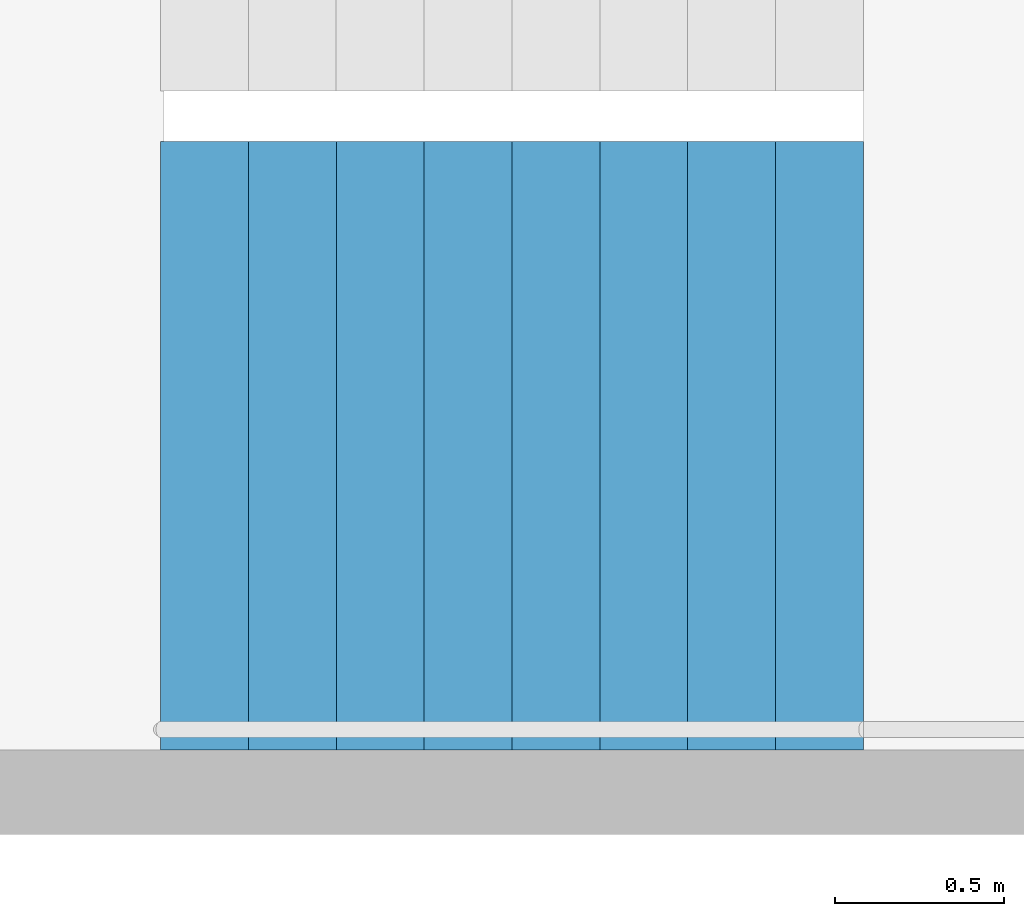
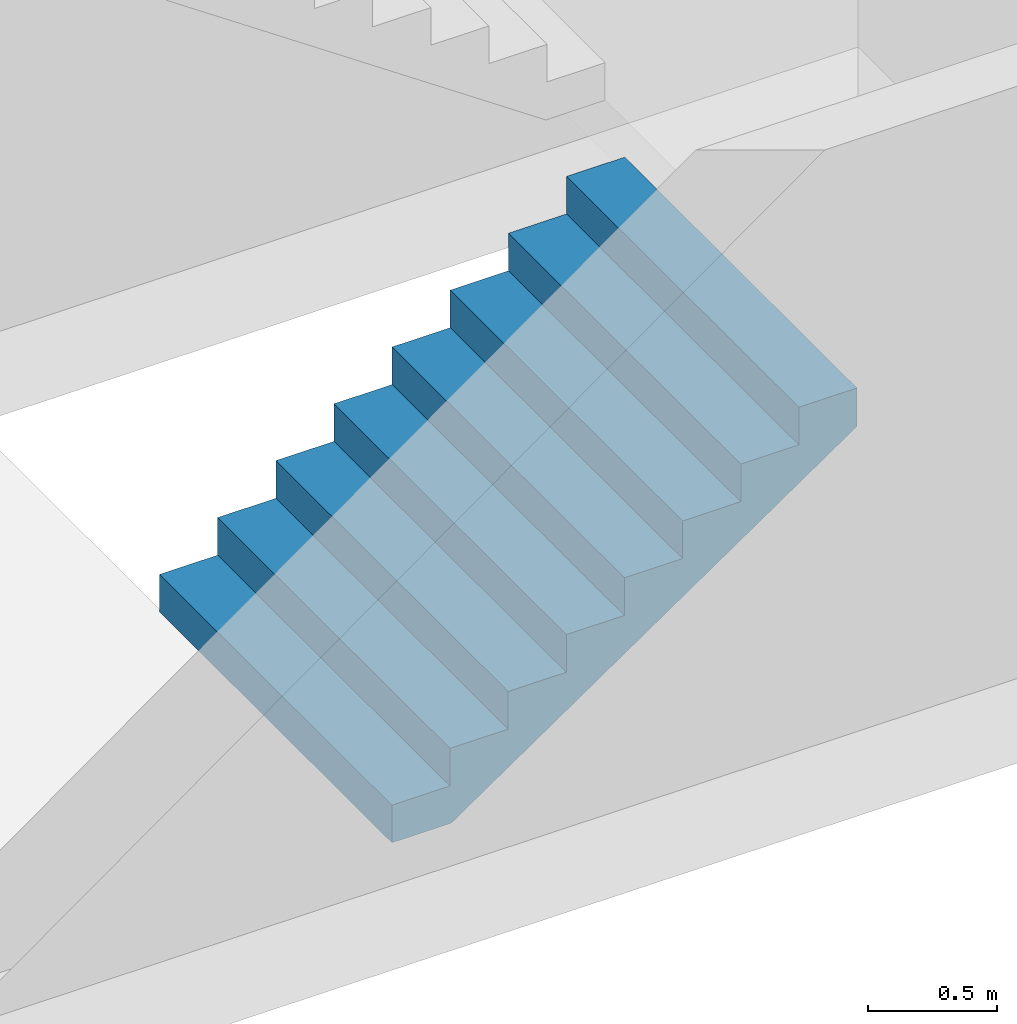
# One storey, part 35 of 42: 1 stair flight, 1 element without a shape of its own.
"""IFC4 building model written with IfcOpenShell, lengths in metres."""

from ifc_helpers import new_model, si_unit, direction, frame, origin, place, context, subcontext, project, spatial, triangles, material, type_object, element, aggregate, save


model = new_model("IFC4")

# Units and contexts
model_context = context("Model", 3, precision=1e-05, world=origin(), true_north=direction((0.0, 1.0)))
body_context = subcontext(model_context, "Body", "Model", "MODEL_VIEW")
ifc_project = project(units=[si_unit("LENGTHUNIT", "METRE"), si_unit("AREAUNIT", "SQUARE_METRE"), si_unit("VOLUMEUNIT", "CUBIC_METRE"), si_unit("PLANEANGLEUNIT", "RADIAN"), si_unit("MASSUNIT", "GRAM", prefix="KILO")], contexts=[model_context])

# Site, building, storey
site_placement = place(None, origin())
site = spatial("IfcSite", under=ifc_project, at=site_placement, CompositionType="ELEMENT")
building_placement = place(site_placement, origin())
building = spatial("IfcBuilding", under=site, at=building_placement, Name="Hakoniwa Tower and Hamabe Station Hall", CompositionType="ELEMENT")
storey_placement = place(building_placement, frame((0.0, 0.0, 19.800048828125)))
storey = spatial("IfcBuildingStorey", under=building, at=storey_placement, Name="L04", CompositionType="ELEMENT", Elevation=19.800048828125)

# Stair, stair flight
ifc_material_1 = material(Name="Concrete C40", Category="concrete")
stair_type = type_object("IfcStairType", Name="ESCAPE STAIR 1800", PredefinedType="HALF_TURN_STAIR", material=ifc_material_1)
stair_placement = place(storey_placement, origin())
stair = element("IfcStair", 1, at=stair_placement, inside=storey, type_object=stair_type, Name="Escape stair ST-1 L04", PredefinedType="HALF_TURN_STAIR")
ifc_material_2 = material(Name="Concrete C40", Category="concrete")
stair_flight_type = type_object("IfcStairFlightType", Name="STAIR FLIGHT 1800", PredefinedType="STRAIGHT", material=ifc_material_2)
stair_flight_placement = place(storey_placement, frame((-24.39990234375, 4.64990234375, 0.0), z_axis=(0.0, 0.0, 1.0), x_axis=(1.0, 0.0, 0.0)))
stair_flight = element("IfcStairFlight", 2, at=stair_flight_placement, type_object=stair_flight_type, Name="ST-1 flight 1", NumberOfRisers=9, NumberOfTreads=8, PredefinedType="STRAIGHT", RiserHeight=0.177777778, TreadLength=0.26, context=body_context, shape_type="Tessellation", body=[
    triangles([(0.0, 0.89990234375, 0.0), (0.260009765625, 0.89990234375, 0.0), (0.265625, 0.89990234375, 0.0), (0.52001953125, 0.89990234375, 0.174072265625), (0.780029296875, 0.89990234375, 0.351806640625), (1.0400390625, 0.89990234375, 0.529541015625), (1.300048828125, 0.89990234375, 0.707275390625), (1.56005859375, 0.89990234375, 0.885009765625), (1.820068359375, 0.89990234375, 1.062744140625), (2.080078125, 0.89990234375, 1.24072265625), (2.080078125, 0.89990234375, 1.422119140625), (1.820068359375, 0.89990234375, 1.422119140625), (1.820068359375, 0.89990234375, 1.244384765625), (1.56005859375, 0.89990234375, 1.244384765625), (1.56005859375, 0.89990234375, 1.066650390625), (1.300048828125, 0.89990234375, 1.066650390625), (1.300048828125, 0.89990234375, 0.888916015625), (1.0400390625, 0.89990234375, 0.888916015625), (1.0400390625, 0.89990234375, 0.711181640625), (0.780029296875, 0.89990234375, 0.711181640625), (0.780029296875, 0.89990234375, 0.533447265625), (0.52001953125, 0.89990234375, 0.533447265625), (0.52001953125, 0.89990234375, 0.35546875), (0.265625, 0.89990234375, 0.35546875), (0.260009765625, 0.89990234375, 0.35546875), (0.260009765625, 0.89990234375, 0.177734375), (0.0, 0.89990234375, 0.177734375), (0.0, 0.06005859375, 0.0), (0.260009765625, 0.06005859375, 0.0), (0.265625, 0.06005859375, 0.0), (0.52001953125, 0.06005859375, 0.174072265625), (0.780029296875, 0.06005859375, 0.351806640625), (1.0400390625, 0.06005859375, 0.529541015625), (1.300048828125, 0.06005859375, 0.707275390625), (1.56005859375, 0.06005859375, 0.885009765625), (1.820068359375, 0.06005859375, 1.062744140625), (2.080078125, 0.06005859375, 1.24072265625), (2.080078125, 0.06005859375, 1.422119140625), (1.820068359375, 0.06005859375, 1.422119140625), (1.820068359375, 0.06005859375, 1.244384765625), (1.56005859375, 0.06005859375, 1.244384765625), (1.56005859375, 0.06005859375, 1.066650390625), (1.300048828125, 0.06005859375, 1.066650390625), (1.300048828125, 0.06005859375, 0.888916015625), (1.0400390625, 0.06005859375, 0.888916015625), (1.0400390625, 0.06005859375, 0.711181640625), (0.780029296875, 0.06005859375, 0.711181640625), (0.780029296875, 0.06005859375, 0.533447265625), (0.52001953125, 0.06005859375, 0.533447265625), (0.52001953125, 0.06005859375, 0.35546875), (0.265625, 0.06005859375, 0.35546875), (0.260009765625, 0.06005859375, 0.35546875), (0.260009765625, 0.06005859375, 0.177734375), (0.0, 0.06005859375, 0.177734375), (0.0, 0.04296875, 0.0), (0.260009765625, 0.04296875, 0.0), (0.265625, 0.04296875, 0.0), (0.52001953125, 0.04296875, 0.174072265625), (0.780029296875, 0.04296875, 0.351806640625), (1.0400390625, 0.04296875, 0.529541015625), (1.300048828125, 0.04296875, 0.707275390625), (1.56005859375, 0.04296875, 0.885009765625), (1.820068359375, 0.04296875, 1.062744140625), (2.080078125, 0.04296875, 1.24072265625), (2.080078125, 0.04296875, 1.422119140625), (1.820068359375, 0.04296875, 1.422119140625), (1.820068359375, 0.04296875, 1.244384765625), (1.56005859375, 0.04296875, 1.244384765625), (1.56005859375, 0.04296875, 1.066650390625), (1.300048828125, 0.04296875, 1.066650390625), (1.300048828125, 0.04296875, 0.888916015625), (1.0400390625, 0.04296875, 0.888916015625), (1.0400390625, 0.04296875, 0.711181640625), (0.780029296875, 0.04296875, 0.711181640625), (0.780029296875, 0.04296875, 0.533447265625), (0.52001953125, 0.04296875, 0.533447265625), (0.52001953125, 0.04296875, 0.35546875), (0.265625, 0.04296875, 0.35546875), (0.260009765625, 0.04296875, 0.35546875), (0.260009765625, 0.04296875, 0.177734375), (0.0, 0.04296875, 0.177734375), (0.0, 0.025634765625, 0.0), (0.260009765625, 0.025634765625, 0.0), (0.265625, 0.025634765625, 0.0), (0.52001953125, 0.025634765625, 0.174072265625), (0.780029296875, 0.025634765625, 0.351806640625), (1.0400390625, 0.025634765625, 0.529541015625), (1.300048828125, 0.025634765625, 0.707275390625), (1.56005859375, 0.025634765625, 0.885009765625), (1.820068359375, 0.025634765625, 1.062744140625), (2.080078125, 0.025634765625, 1.24072265625), (2.080078125, 0.025634765625, 1.422119140625), (1.820068359375, 0.025634765625, 1.422119140625), (1.820068359375, 0.025634765625, 1.244384765625), (1.56005859375, 0.025634765625, 1.244384765625), (1.56005859375, 0.025634765625, 1.066650390625), (1.300048828125, 0.025634765625, 1.066650390625), (1.300048828125, 0.025634765625, 0.888916015625), (1.0400390625, 0.025634765625, 0.888916015625), (1.0400390625, 0.025634765625, 0.711181640625), (0.780029296875, 0.025634765625, 0.711181640625), (0.780029296875, 0.025634765625, 0.533447265625), (0.52001953125, 0.025634765625, 0.533447265625), (0.52001953125, 0.025634765625, 0.35546875), (0.265625, 0.025634765625, 0.35546875), (0.260009765625, 0.025634765625, 0.35546875), (0.260009765625, 0.025634765625, 0.177734375), (0.0, 0.025634765625, 0.177734375), (0.0, 0.008544921875, 0.0), (0.260009765625, 0.008544921875, 0.0), (0.265625, 0.008544921875, 0.0), (0.52001953125, 0.008544921875, 0.174072265625), (0.780029296875, 0.008544921875, 0.351806640625), (1.0400390625, 0.008544921875, 0.529541015625), (1.300048828125, 0.008544921875, 0.707275390625), (1.56005859375, 0.008544921875, 0.885009765625), (1.820068359375, 0.008544921875, 1.062744140625), (2.080078125, 0.008544921875, 1.24072265625), (2.080078125, 0.008544921875, 1.422119140625), (1.820068359375, 0.008544921875, 1.422119140625), (1.820068359375, 0.008544921875, 1.244384765625), (1.56005859375, 0.008544921875, 1.244384765625), (1.56005859375, 0.008544921875, 1.066650390625), (1.300048828125, 0.008544921875, 1.066650390625), (1.300048828125, 0.008544921875, 0.888916015625), (1.0400390625, 0.008544921875, 0.888916015625), (1.0400390625, 0.008544921875, 0.711181640625), (0.780029296875, 0.008544921875, 0.711181640625), (0.780029296875, 0.008544921875, 0.533447265625), (0.52001953125, 0.008544921875, 0.533447265625), (0.52001953125, 0.008544921875, 0.35546875), (0.265625, 0.008544921875, 0.35546875), (0.260009765625, 0.008544921875, 0.35546875), (0.260009765625, 0.008544921875, 0.177734375), (0.0, 0.008544921875, 0.177734375), (0.0, -0.008544921875, 0.0), (0.260009765625, -0.008544921875, 0.0), (0.265625, -0.008544921875, 0.0), (0.52001953125, -0.008544921875, 0.174072265625), (0.780029296875, -0.008544921875, 0.351806640625), (1.0400390625, -0.008544921875, 0.529541015625), (1.300048828125, -0.008544921875, 0.707275390625), (1.56005859375, -0.008544921875, 0.885009765625), (1.820068359375, -0.008544921875, 1.062744140625), (2.080078125, -0.008544921875, 1.24072265625), (2.080078125, -0.008544921875, 1.422119140625), (1.820068359375, -0.008544921875, 1.422119140625), (1.820068359375, -0.008544921875, 1.244384765625), (1.56005859375, -0.008544921875, 1.244384765625), (1.56005859375, -0.008544921875, 1.066650390625), (1.300048828125, -0.008544921875, 1.066650390625), (1.300048828125, -0.008544921875, 0.888916015625), (1.0400390625, -0.008544921875, 0.888916015625), (1.0400390625, -0.008544921875, 0.711181640625), (0.780029296875, -0.008544921875, 0.711181640625), (0.780029296875, -0.008544921875, 0.533447265625), (0.52001953125, -0.008544921875, 0.533447265625), (0.52001953125, -0.008544921875, 0.35546875), (0.265625, -0.008544921875, 0.35546875), (0.260009765625, -0.008544921875, 0.35546875), (0.260009765625, -0.008544921875, 0.177734375), (0.0, -0.008544921875, 0.177734375), (0.0, -0.025634765625, 0.0), (0.260009765625, -0.025634765625, 0.0), (0.265625, -0.025634765625, 0.0), (0.52001953125, -0.025634765625, 0.174072265625), (0.780029296875, -0.025634765625, 0.351806640625), (1.0400390625, -0.025634765625, 0.529541015625), (1.300048828125, -0.025634765625, 0.707275390625), (1.56005859375, -0.025634765625, 0.885009765625), (1.820068359375, -0.025634765625, 1.062744140625), (2.080078125, -0.025634765625, 1.24072265625), (2.080078125, -0.025634765625, 1.422119140625), (1.820068359375, -0.025634765625, 1.422119140625), (1.820068359375, -0.025634765625, 1.244384765625), (1.56005859375, -0.025634765625, 1.244384765625), (1.56005859375, -0.025634765625, 1.066650390625), (1.300048828125, -0.025634765625, 1.066650390625), (1.300048828125, -0.025634765625, 0.888916015625), (1.0400390625, -0.025634765625, 0.888916015625), (1.0400390625, -0.025634765625, 0.711181640625), (0.780029296875, -0.025634765625, 0.711181640625), (0.780029296875, -0.025634765625, 0.533447265625), (0.52001953125, -0.025634765625, 0.533447265625), (0.52001953125, -0.025634765625, 0.35546875), (0.265625, -0.025634765625, 0.35546875), (0.260009765625, -0.025634765625, 0.35546875), (0.260009765625, -0.025634765625, 0.177734375), (0.0, -0.025634765625, 0.177734375), (0.0, -0.04296875, 0.0), (0.260009765625, -0.04296875, 0.0), (0.265625, -0.04296875, 0.0), (0.52001953125, -0.04296875, 0.174072265625), (0.780029296875, -0.04296875, 0.351806640625), (1.0400390625, -0.04296875, 0.529541015625), (1.300048828125, -0.04296875, 0.707275390625), (1.56005859375, -0.04296875, 0.885009765625), (1.820068359375, -0.04296875, 1.062744140625), (2.080078125, -0.04296875, 1.24072265625), (2.080078125, -0.04296875, 1.422119140625), (1.820068359375, -0.04296875, 1.422119140625), (1.820068359375, -0.04296875, 1.244384765625), (1.56005859375, -0.04296875, 1.244384765625), (1.56005859375, -0.04296875, 1.066650390625), (1.300048828125, -0.04296875, 1.066650390625), (1.300048828125, -0.04296875, 0.888916015625), (1.0400390625, -0.04296875, 0.888916015625), (1.0400390625, -0.04296875, 0.711181640625), (0.780029296875, -0.04296875, 0.711181640625), (0.780029296875, -0.04296875, 0.533447265625), (0.52001953125, -0.04296875, 0.533447265625), (0.52001953125, -0.04296875, 0.35546875), (0.265625, -0.04296875, 0.35546875), (0.260009765625, -0.04296875, 0.35546875), (0.260009765625, -0.04296875, 0.177734375), (0.0, -0.04296875, 0.177734375), (0.0, -0.06005859375, 0.0), (0.260009765625, -0.06005859375, 0.0), (0.265625, -0.06005859375, 0.0), (0.52001953125, -0.06005859375, 0.174072265625), (0.780029296875, -0.06005859375, 0.351806640625), (1.0400390625, -0.06005859375, 0.529541015625), (1.300048828125, -0.06005859375, 0.707275390625), (1.56005859375, -0.06005859375, 0.885009765625), (1.820068359375, -0.06005859375, 1.062744140625), (2.080078125, -0.06005859375, 1.24072265625), (2.080078125, -0.06005859375, 1.422119140625), (1.820068359375, -0.06005859375, 1.422119140625), (1.820068359375, -0.06005859375, 1.244384765625), (1.56005859375, -0.06005859375, 1.244384765625), (1.56005859375, -0.06005859375, 1.066650390625), (1.300048828125, -0.06005859375, 1.066650390625), (1.300048828125, -0.06005859375, 0.888916015625), (1.0400390625, -0.06005859375, 0.888916015625), (1.0400390625, -0.06005859375, 0.711181640625), (0.780029296875, -0.06005859375, 0.711181640625), (0.780029296875, -0.06005859375, 0.533447265625), (0.52001953125, -0.06005859375, 0.533447265625), (0.52001953125, -0.06005859375, 0.35546875), (0.265625, -0.06005859375, 0.35546875), (0.260009765625, -0.06005859375, 0.35546875), (0.260009765625, -0.06005859375, 0.177734375), (0.0, -0.06005859375, 0.177734375), (0.0, -0.89990234375, 0.0), (0.260009765625, -0.89990234375, 0.0), (0.265625, -0.89990234375, 0.0), (0.52001953125, -0.89990234375, 0.174072265625), (0.780029296875, -0.89990234375, 0.351806640625), (1.0400390625, -0.89990234375, 0.529541015625), (1.300048828125, -0.89990234375, 0.707275390625), (1.56005859375, -0.89990234375, 0.885009765625), (1.820068359375, -0.89990234375, 1.062744140625), (2.080078125, -0.89990234375, 1.24072265625), (2.080078125, -0.89990234375, 1.422119140625), (1.820068359375, -0.89990234375, 1.422119140625), (1.820068359375, -0.89990234375, 1.244384765625), (1.56005859375, -0.89990234375, 1.244384765625), (1.56005859375, -0.89990234375, 1.066650390625), (1.300048828125, -0.89990234375, 1.066650390625), (1.300048828125, -0.89990234375, 0.888916015625), (1.0400390625, -0.89990234375, 0.888916015625), (1.0400390625, -0.89990234375, 0.711181640625), (0.780029296875, -0.89990234375, 0.711181640625), (0.780029296875, -0.89990234375, 0.533447265625), (0.52001953125, -0.89990234375, 0.533447265625), (0.52001953125, -0.89990234375, 0.35546875), (0.265625, -0.89990234375, 0.35546875), (0.260009765625, -0.89990234375, 0.35546875), (0.260009765625, -0.89990234375, 0.177734375), (0.0, -0.89990234375, 0.177734375)], [[2, 27, 26], [245, 269, 270], [2, 1, 27], [245, 270, 244], [3, 25, 24], [246, 267, 268], [3, 26, 25], [246, 268, 269], [3, 2, 26], [246, 269, 245], [4, 24, 23], [247, 266, 267], [4, 3, 24], [247, 267, 246], [5, 22, 21], [248, 264, 265], [5, 23, 22], [248, 265, 266], [5, 4, 23], [248, 266, 247], [6, 20, 19], [249, 262, 263], [6, 21, 20], [249, 263, 264], [6, 5, 21], [249, 264, 248], [7, 18, 17], [250, 260, 261], [7, 19, 18], [250, 261, 262], [7, 6, 19], [250, 262, 249], [8, 16, 15], [251, 258, 259], [8, 17, 16], [251, 259, 260], [8, 7, 17], [251, 260, 250], [9, 14, 13], [252, 256, 257], [9, 15, 14], [252, 257, 258], [9, 8, 15], [252, 258, 251], [10, 12, 11], [253, 254, 255], [10, 13, 12], [253, 255, 256], [10, 9, 13], [253, 256, 252], [1, 2, 29], [1, 29, 28], [28, 29, 56], [28, 56, 55], [55, 56, 83], [55, 83, 82], [82, 83, 110], [82, 110, 109], [109, 110, 137], [109, 137, 136], [136, 137, 164], [136, 164, 163], [163, 164, 191], [163, 191, 190], [190, 191, 218], [190, 218, 217], [217, 218, 245], [217, 245, 244], [2, 3, 30], [2, 30, 29], [29, 30, 57], [29, 57, 56], [56, 57, 84], [56, 84, 83], [83, 84, 111], [83, 111, 110], [110, 111, 138], [110, 138, 137], [137, 138, 165], [137, 165, 164], [164, 165, 192], [164, 192, 191], [191, 192, 219], [191, 219, 218], [218, 219, 246], [218, 246, 245], [3, 4, 31], [3, 31, 30], [30, 31, 58], [30, 58, 57], [57, 58, 85], [57, 85, 84], [84, 85, 112], [84, 112, 111], [111, 112, 139], [111, 139, 138], [138, 139, 166], [138, 166, 165], [165, 166, 193], [165, 193, 192], [192, 193, 220], [192, 220, 219], [219, 220, 247], [219, 247, 246], [4, 5, 32], [4, 32, 31], [31, 32, 59], [31, 59, 58], [58, 59, 86], [58, 86, 85], [85, 86, 113], [85, 113, 112], [112, 113, 140], [112, 140, 139], [139, 140, 167], [139, 167, 166], [166, 167, 194], [166, 194, 193], [193, 194, 221], [193, 221, 220], [220, 221, 248], [220, 248, 247], [5, 6, 33], [5, 33, 32], [32, 33, 60], [32, 60, 59], [59, 60, 87], [59, 87, 86], [86, 87, 114], [86, 114, 113], [113, 114, 141], [113, 141, 140], [140, 141, 168], [140, 168, 167], [167, 168, 195], [167, 195, 194], [194, 195, 222], [194, 222, 221], [221, 222, 249], [221, 249, 248], [6, 7, 34], [6, 34, 33], [33, 34, 61], [33, 61, 60], [60, 61, 88], [60, 88, 87], [87, 88, 115], [87, 115, 114], [114, 115, 142], [114, 142, 141], [141, 142, 169], [141, 169, 168], [168, 169, 196], [168, 196, 195], [195, 196, 223], [195, 223, 222], [222, 223, 250], [222, 250, 249], [7, 8, 35], [7, 35, 34], [34, 35, 62], [34, 62, 61], [61, 62, 89], [61, 89, 88], [88, 89, 116], [88, 116, 115], [115, 116, 143], [115, 143, 142], [142, 143, 170], [142, 170, 169], [169, 170, 197], [169, 197, 196], [196, 197, 224], [196, 224, 223], [223, 224, 251], [223, 251, 250], [8, 9, 36], [8, 36, 35], [35, 36, 63], [35, 63, 62], [62, 63, 90], [62, 90, 89], [89, 90, 117], [89, 117, 116], [116, 117, 144], [116, 144, 143], [143, 144, 171], [143, 171, 170], [170, 171, 198], [170, 198, 197], [197, 198, 225], [197, 225, 224], [224, 225, 252], [224, 252, 251], [9, 10, 37], [9, 37, 36], [36, 37, 64], [36, 64, 63], [63, 64, 91], [63, 91, 90], [90, 91, 118], [90, 118, 117], [117, 118, 145], [117, 145, 144], [144, 145, 172], [144, 172, 171], [171, 172, 199], [171, 199, 198], [198, 199, 226], [198, 226, 225], [225, 226, 253], [225, 253, 252], [10, 11, 38], [10, 38, 37], [37, 38, 65], [37, 65, 64], [64, 65, 92], [64, 92, 91], [91, 92, 119], [91, 119, 118], [118, 119, 146], [118, 146, 145], [145, 146, 173], [145, 173, 172], [172, 173, 200], [172, 200, 199], [199, 200, 227], [199, 227, 226], [226, 227, 254], [226, 254, 253], [11, 12, 39], [11, 39, 38], [38, 39, 66], [38, 66, 65], [65, 66, 93], [65, 93, 92], [92, 93, 120], [92, 120, 119], [119, 120, 147], [119, 147, 146], [146, 147, 174], [146, 174, 173], [173, 174, 201], [173, 201, 200], [200, 201, 228], [200, 228, 227], [227, 228, 255], [227, 255, 254], [12, 13, 40], [12, 40, 39], [39, 40, 67], [39, 67, 66], [66, 67, 94], [66, 94, 93], [93, 94, 121], [93, 121, 120], [120, 121, 148], [120, 148, 147], [147, 148, 175], [147, 175, 174], [174, 175, 202], [174, 202, 201], [201, 202, 229], [201, 229, 228], [228, 229, 256], [228, 256, 255], [13, 14, 41], [13, 41, 40], [40, 41, 68], [40, 68, 67], [67, 68, 95], [67, 95, 94], [94, 95, 122], [94, 122, 121], [121, 122, 149], [121, 149, 148], [148, 149, 176], [148, 176, 175], [175, 176, 203], [175, 203, 202], [202, 203, 230], [202, 230, 229], [229, 230, 257], [229, 257, 256], [14, 15, 42], [14, 42, 41], [41, 42, 69], [41, 69, 68], [68, 69, 96], [68, 96, 95], [95, 96, 123], [95, 123, 122], [122, 123, 150], [122, 150, 149], [149, 150, 177], [149, 177, 176], [176, 177, 204], [176, 204, 203], [203, 204, 231], [203, 231, 230], [230, 231, 258], [230, 258, 257], [15, 16, 43], [15, 43, 42], [42, 43, 70], [42, 70, 69], [69, 70, 97], [69, 97, 96], [96, 97, 124], [96, 124, 123], [123, 124, 151], [123, 151, 150], [150, 151, 178], [150, 178, 177], [177, 178, 205], [177, 205, 204], [204, 205, 232], [204, 232, 231], [231, 232, 259], [231, 259, 258], [16, 17, 44], [16, 44, 43], [43, 44, 71], [43, 71, 70], [70, 71, 98], [70, 98, 97], [97, 98, 125], [97, 125, 124], [124, 125, 152], [124, 152, 151], [151, 152, 179], [151, 179, 178], [178, 179, 206], [178, 206, 205], [205, 206, 233], [205, 233, 232], [232, 233, 260], [232, 260, 259], [17, 18, 45], [17, 45, 44], [44, 45, 72], [44, 72, 71], [71, 72, 99], [71, 99, 98], [98, 99, 126], [98, 126, 125], [125, 126, 153], [125, 153, 152], [152, 153, 180], [152, 180, 179], [179, 180, 207], [179, 207, 206], [206, 207, 234], [206, 234, 233], [233, 234, 261], [233, 261, 260], [18, 19, 46], [18, 46, 45], [45, 46, 73], [45, 73, 72], [72, 73, 100], [72, 100, 99], [99, 100, 127], [99, 127, 126], [126, 127, 154], [126, 154, 153], [153, 154, 181], [153, 181, 180], [180, 181, 208], [180, 208, 207], [207, 208, 235], [207, 235, 234], [234, 235, 262], [234, 262, 261], [19, 20, 47], [19, 47, 46], [46, 47, 74], [46, 74, 73], [73, 74, 101], [73, 101, 100], [100, 101, 128], [100, 128, 127], [127, 128, 155], [127, 155, 154], [154, 155, 182], [154, 182, 181], [181, 182, 209], [181, 209, 208], [208, 209, 236], [208, 236, 235], [235, 236, 263], [235, 263, 262], [20, 21, 48], [20, 48, 47], [47, 48, 75], [47, 75, 74], [74, 75, 102], [74, 102, 101], [101, 102, 129], [101, 129, 128], [128, 129, 156], [128, 156, 155], [155, 156, 183], [155, 183, 182], [182, 183, 210], [182, 210, 209], [209, 210, 237], [209, 237, 236], [236, 237, 264], [236, 264, 263], [21, 22, 49], [21, 49, 48], [48, 49, 76], [48, 76, 75], [75, 76, 103], [75, 103, 102], [102, 103, 130], [102, 130, 129], [129, 130, 157], [129, 157, 156], [156, 157, 184], [156, 184, 183], [183, 184, 211], [183, 211, 210], [210, 211, 238], [210, 238, 237], [237, 238, 265], [237, 265, 264], [22, 23, 50], [22, 50, 49], [49, 50, 77], [49, 77, 76], [76, 77, 104], [76, 104, 103], [103, 104, 131], [103, 131, 130], [130, 131, 158], [130, 158, 157], [157, 158, 185], [157, 185, 184], [184, 185, 212], [184, 212, 211], [211, 212, 239], [211, 239, 238], [238, 239, 266], [238, 266, 265], [23, 24, 51], [23, 51, 50], [50, 51, 78], [50, 78, 77], [77, 78, 105], [77, 105, 104], [104, 105, 132], [104, 132, 131], [131, 132, 159], [131, 159, 158], [158, 159, 186], [158, 186, 185], [185, 186, 213], [185, 213, 212], [212, 213, 240], [212, 240, 239], [239, 240, 267], [239, 267, 266], [24, 25, 52], [24, 52, 51], [51, 52, 79], [51, 79, 78], [78, 79, 106], [78, 106, 105], [105, 106, 133], [105, 133, 132], [132, 133, 160], [132, 160, 159], [159, 160, 187], [159, 187, 186], [186, 187, 214], [186, 214, 213], [213, 214, 241], [213, 241, 240], [240, 241, 268], [240, 268, 267], [25, 26, 53], [25, 53, 52], [52, 53, 80], [52, 80, 79], [79, 80, 107], [79, 107, 106], [106, 107, 134], [106, 134, 133], [133, 134, 161], [133, 161, 160], [160, 161, 188], [160, 188, 187], [187, 188, 215], [187, 215, 214], [214, 215, 242], [214, 242, 241], [241, 242, 269], [241, 269, 268], [26, 27, 54], [26, 54, 53], [53, 54, 81], [53, 81, 80], [80, 81, 108], [80, 108, 107], [107, 108, 135], [107, 135, 134], [134, 135, 162], [134, 162, 161], [161, 162, 189], [161, 189, 188], [188, 189, 216], [188, 216, 215], [215, 216, 243], [215, 243, 242], [242, 243, 270], [242, 270, 269], [27, 1, 28], [27, 28, 54], [54, 28, 55], [54, 55, 81], [81, 55, 82], [81, 82, 108], [108, 82, 109], [108, 109, 135], [135, 109, 136], [135, 136, 162], [162, 136, 163], [162, 163, 189], [189, 163, 190], [189, 190, 216], [216, 190, 217], [216, 217, 243], [243, 217, 244], [243, 244, 270]], closed=True),
])
aggregate(stair, [stair_flight])

save(model, "model.ifc")
